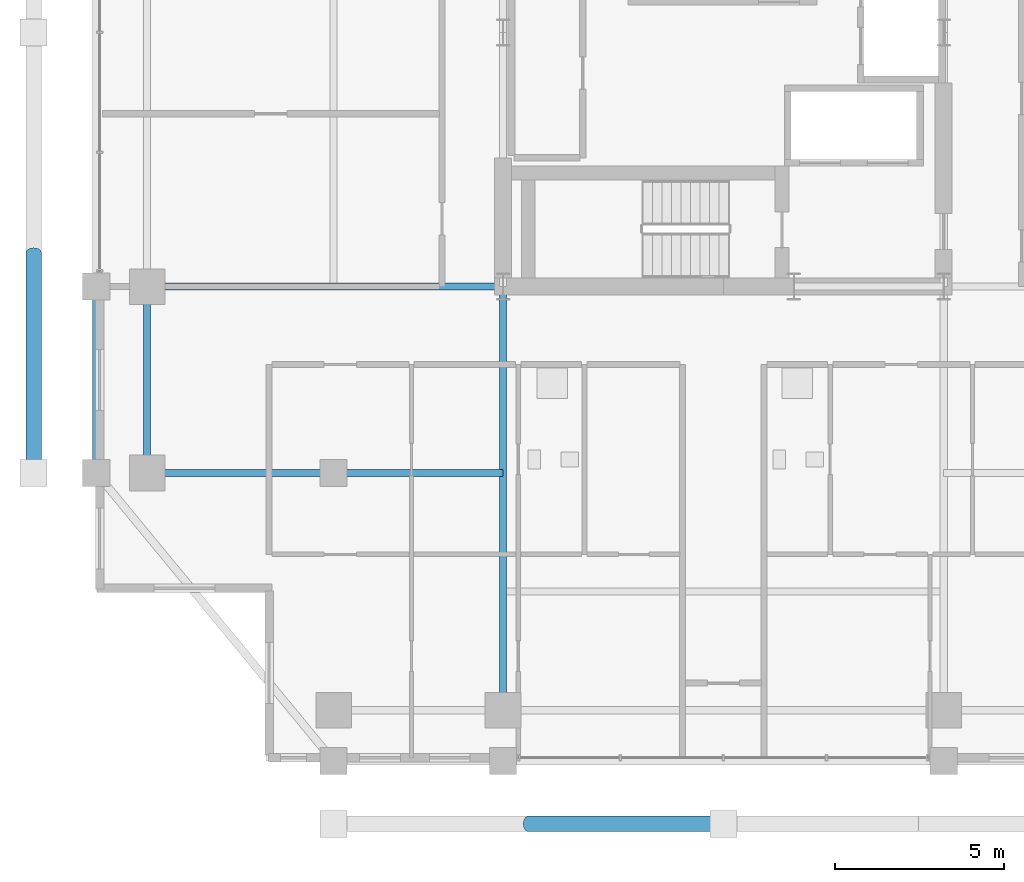
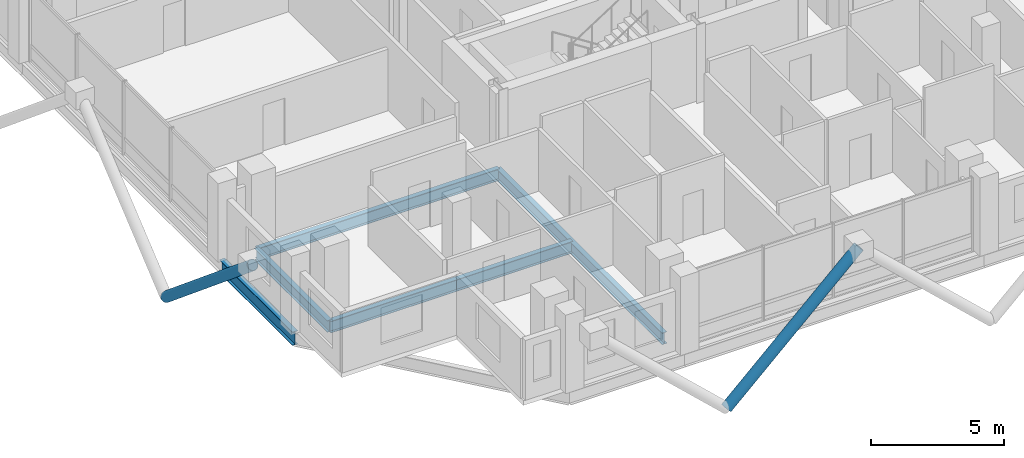
# One storey, part 3 of 24: 6 beams, 2 members.
"""IFC4 building model written with IfcOpenShell, lengths in metres."""

from ifc_helpers import new_model, si_unit, direction, frame, origin, origin_2d, place, context, subcontext, project, spatial, hollow_circle, i_section, extrude, material, material_profile, profile_set, type_object, element, save


model = new_model("IFC4")

# Units and contexts
model_context = context("Model", 3, precision=1e-05, world=origin(), true_north=direction((0.0, 1.0)))
body_context = subcontext(model_context, "Body", "Model", "MODEL_VIEW")
ifc_project = project(units=[si_unit("LENGTHUNIT", "METRE"), si_unit("AREAUNIT", "SQUARE_METRE"), si_unit("VOLUMEUNIT", "CUBIC_METRE"), si_unit("PLANEANGLEUNIT", "RADIAN"), si_unit("MASSUNIT", "GRAM", prefix="KILO")], contexts=[model_context])

# Site, building, storey
site_placement = place(None, origin())
site = spatial("IfcSite", under=ifc_project, at=site_placement, CompositionType="ELEMENT")
building_placement = place(site_placement, origin())
building = spatial("IfcBuilding", under=site, at=building_placement, Name="Barlavira Tower and Art Museum", CompositionType="ELEMENT")
storey_placement = place(building_placement, frame((0.0, 0.0, 194.39990234375)))
storey = spatial("IfcBuildingStorey", under=building, at=storey_placement, Name="L50", CompositionType="ELEMENT", Elevation=194.39990234375)

# Members
ifc_material = material(Name="Steel S355", Category="steel")
ifc_material_profile_1 = material_profile(ifc_material, hollow_circle(Radius=0.228515625, WallThickness=0.02001953125, at=origin_2d()), Name="CHS 457.0x20.0")
ifc_profile_set_1 = profile_set([ifc_material_profile_1], Name="Steel S355")
member_type = type_object("IfcMemberType", Name="Pale-Metal Exoskeleton Diagrid Tube CHS 457x20 Steel S355", PredefinedType="BRACE", material=ifc_profile_set_1)
member_1_placement = place(storey_placement, frame((-5.75, -23.35009765625, -1.919921875), z_axis=(0.728950095515, 0.0, 0.684566839869), x_axis=(0.0, 1.0, 0.0)))
element("IfcMember", 1, at=member_1_placement, inside=storey, type_object=member_type, Name="L50 Exoskeleton Diagrid Tube S", PredefinedType="BRACE", context=body_context, shape_type="SweptSolid", body=[
    extrude(hollow_circle(Radius=0.228515625, WallThickness=0.02001953125, at=origin_2d()), origin(), (0.0, 0.0, 1.0), 7.887939453125),
])
member_2_placement = place(storey_placement, frame((-20.35009765625, -6.5, -1.919921875), z_axis=(0.0, -0.769196053329, 0.639012857104), x_axis=(1.0, 0.0, 0.0)))
element("IfcMember", 2, at=member_2_placement, inside=storey, type_object=member_type, Name="L50 Exoskeleton Diagrid Tube W", PredefinedType="BRACE", context=body_context, shape_type="SweptSolid", body=[
    extrude(hollow_circle(Radius=0.228515625, WallThickness=0.02001953125, at=origin_2d()), origin(), (0.0, 0.0, 1.0), 8.450439453125),
])

# Beams
ifc_material_profile_2 = material_profile(ifc_material, i_section(OverallWidth=0.22998046875, OverallDepth=0.616943359375, WebThickness=0.01318359375, FlangeThickness=0.022216796875, at=origin_2d()), Name="W610x140.0")
ifc_profile_set_2 = profile_set([ifc_material_profile_2], Name="Steel S355")
beam_type_1 = type_object("IfcBeamType", Name="Upper Shaft Spandrel Edge Beam W610x140 Steel S355", PredefinedType="SPANDREL", material=ifc_profile_set_2)
beam_1_placement = place(storey_placement, frame((-18.5, -13.0, -0.5283203125), z_axis=(0.0, 1.0, 0.0), x_axis=(-1.0, 0.0, 0.0)))
element("IfcBeam", 3, at=beam_1_placement, inside=storey, type_object=beam_type_1, Name="L50 Spandrel 15", PredefinedType="SPANDREL", context=body_context, shape_type="SweptSolid", body=[
    extrude(i_section(OverallWidth=0.22998046875, OverallDepth=0.616943359375, WebThickness=0.01318359375, FlangeThickness=0.022216796875, at=origin_2d()), origin(), (0.0, 0.0, 1.0), 5.5),
])
ifc_material_profile_3 = material_profile(ifc_material, i_section(OverallWidth=0.2109375, OverallDepth=0.5390625, WebThickness=0.01171875, FlangeThickness=0.018798828125, at=origin_2d()), Name="W530x109.0")
ifc_profile_set_3 = profile_set([ifc_material_profile_3], Name="Steel S355")
beam_type_2 = type_object("IfcBeamType", Name="Zone 3-4 Primary Floor Girder W530x109 Steel S355", PredefinedType="BEAM", material=ifc_profile_set_3)
beam_2_placement = place(storey_placement, frame((-17.0, -13.0, -0.489501953125), z_axis=(0.0, 1.0, 0.0), x_axis=(-1.0, 0.0, 0.0)))
element("IfcBeam", 4, at=beam_2_placement, inside=storey, type_object=beam_type_2, Name="L50 Girder M-W1", PredefinedType="BEAM", context=body_context, shape_type="SweptSolid", body=[
    extrude(i_section(OverallWidth=0.2109375, OverallDepth=0.5390625, WebThickness=0.01171875, FlangeThickness=0.018798828125, at=origin_2d()), origin(), (0.0, 0.0, 1.0), 5.5),
])
beam_3_placement = place(storey_placement, frame((-6.5, -20.0, -0.489501953125), z_axis=(0.0, 1.0, 0.0), x_axis=(-1.0, 0.0, 0.0)))
element("IfcBeam", 5, at=beam_3_placement, inside=storey, type_object=beam_type_2, Name="L50 Girder R-S1", PredefinedType="BEAM", context=body_context, shape_type="SweptSolid", body=[
    extrude(i_section(OverallWidth=0.2109375, OverallDepth=0.5390625, WebThickness=0.01171875, FlangeThickness=0.018798828125, at=origin_2d()), origin(), (0.0, 0.0, 1.0), 12.5),
])
beam_4_placement = place(storey_placement, frame((-17.0, -7.5, -0.489501953125), z_axis=(1.0, 0.0, 0.0), x_axis=(0.0, 1.0, 0.0)))
element("IfcBeam", 6, at=beam_4_placement, inside=storey, type_object=beam_type_2, Name="L50 Girder R-W1", PredefinedType="BEAM", context=body_context, shape_type="SweptSolid", body=[
    extrude(i_section(OverallWidth=0.2109375, OverallDepth=0.5390625, WebThickness=0.01171875, FlangeThickness=0.018798828125, at=origin_2d()), origin(), (0.0, 0.0, 1.0), 10.5),
])
beam_5_placement = place(storey_placement, frame((-17.0, -13.0, -0.489501953125), z_axis=(1.0, 0.0, 0.0), x_axis=(0.0, 1.0, 0.0)))
element("IfcBeam", 7, at=beam_5_placement, inside=storey, type_object=beam_type_2, Name="L50 Girder I-S1", PredefinedType="BEAM", context=body_context, shape_type="SweptSolid", body=[
    extrude(i_section(OverallWidth=0.2109375, OverallDepth=0.5390625, WebThickness=0.01171875, FlangeThickness=0.018798828125, at=origin_2d()), origin(), (0.0, 0.0, 1.0), 5.5),
])
beam_6_placement = place(storey_placement, frame((-11.5, -13.0, -0.489501953125), z_axis=(1.0, 0.0, 0.0), x_axis=(0.0, 1.0, 0.0)))
element("IfcBeam", 8, at=beam_6_placement, inside=storey, type_object=beam_type_2, Name="L50 Girder I-S2", PredefinedType="BEAM", context=body_context, shape_type="SweptSolid", body=[
    extrude(i_section(OverallWidth=0.2109375, OverallDepth=0.5390625, WebThickness=0.01171875, FlangeThickness=0.018798828125, at=origin_2d()), origin(), (0.0, 0.0, 1.0), 5.0),
])

save(model, "model.ifc")
